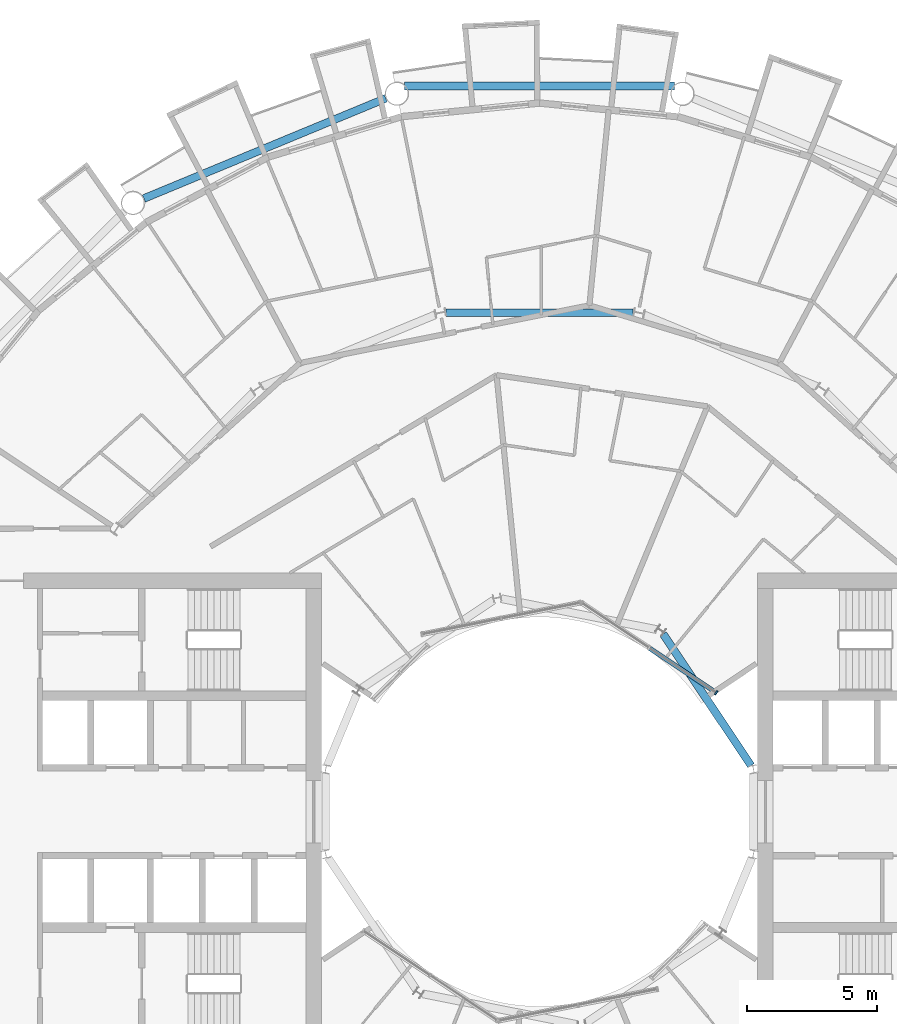
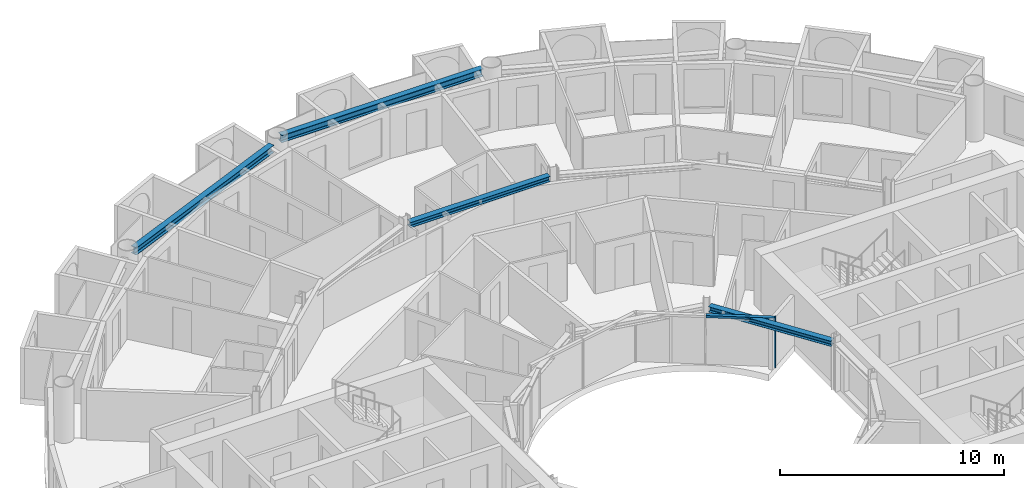
# One storey, part 9 of 28: 4 beams, 2 members, 1 element without a shape of its own.
"""IFC4 building model written with IfcOpenShell, lengths in metres."""

from ifc_helpers import new_model, si_unit, direction, frame, origin, origin_2d, place, context, subcontext, project, spatial, rectangle, i_section, extrude, material, layer, layer_set, material_profile, profile_set, type_object, element, aggregate, save


model = new_model("IFC4")

# Units and contexts
model_context = context("Model", 3, precision=1e-05, world=origin(), true_north=direction((0.0, 1.0)))
body_context = subcontext(model_context, "Body", "Model", "MODEL_VIEW")
ifc_project = project(units=[si_unit("LENGTHUNIT", "METRE"), si_unit("AREAUNIT", "SQUARE_METRE"), si_unit("VOLUMEUNIT", "CUBIC_METRE"), si_unit("PLANEANGLEUNIT", "RADIAN"), si_unit("MASSUNIT", "GRAM", prefix="KILO")], contexts=[model_context])

# Site, building, storey
site_placement = place(None, origin())
site = spatial("IfcSite", under=ifc_project, at=site_placement, CompositionType="ELEMENT")
building_placement = place(site_placement, origin())
building = spatial("IfcBuilding", under=site, at=building_placement, Name="Maasbend Ring Residences", CompositionType="ELEMENT")
storey_placement = place(building_placement, frame((0.0, 0.0, 129.949951171875)))
storey = spatial("IfcBuildingStorey", under=building, at=storey_placement, Name="L37", CompositionType="ELEMENT", Elevation=129.949951171875)

# Curtain wall, members
ifc_material_1 = material(Name="Aluminium and clear glass", Category="aluminium")
ifc_layer = layer(ifc_material_1, 0.179931640625)
ifc_layer_set = layer_set([ifc_layer], Name="CW-W")
curtain_wall_type = type_object("IfcCurtainWallType", Name="CW-W", PredefinedType="NOTDEFINED", material=ifc_layer_set)
curtain_wall_placement = place(storey_placement, origin())
curtain_wall = element("IfcCurtainWall", 1, at=curtain_wall_placement, inside=storey, type_object=curtain_wall_type, Name="Well curtain wall N1", PredefinedType="NOTDEFINED")
ifc_material_2 = material(Name="Aluminium 6063-T6", Category="aluminium")
ifc_material_profile_1 = material_profile(ifc_material_2, rectangle(XDim=0.179931640625, YDim=0.06005859375, at=origin_2d()), Name="AL 180x60")
ifc_profile_set_1 = profile_set([ifc_material_profile_1], Name="Aluminium 6063-T6")
member_type_1 = type_object("IfcMemberType", Name="CWM-W", PredefinedType="MULLION", material=ifc_profile_set_1)
member_1_placement = place(storey_placement, frame((6.805908203125, 4.580810546875, 0.0), z_axis=(0.0, 0.0, 1.0), x_axis=(-0.55557023302, -0.831469612303, 0.0)))
member_1 = element("IfcMember", 2, at=member_1_placement, type_object=member_type_1, Name="Mullion well face", PredefinedType="MULLION", context=body_context, shape_type="SweptSolid", body=[
    extrude(rectangle(XDim=0.179931640625, YDim=0.06005859375, at=origin_2d()), origin(), (0.0, 0.0, 1.0), 2.699951171875),
])
ifc_material_3 = material(Name="Aluminium 6063-T6", Category="aluminium")
ifc_material_profile_2 = material_profile(ifc_material_3, rectangle(XDim=0.179931640625, YDim=0.1201171875, at=origin_2d()), Name="AL 180x120")
ifc_profile_set_2 = profile_set([ifc_material_profile_2], Name="Aluminium 6063-T6")
member_type_2 = type_object("IfcMemberType", Name="CWT-W", PredefinedType="USERDEFINED", material=ifc_profile_set_2)
member_2_placement = place(storey_placement, frame((6.781005859375, 4.59765625, 2.64013671875), z_axis=(-0.831496422459, 0.555530106689, 0.0), x_axis=(-0.555530106689, -0.831496422459, 0.0)))
member_2 = element("IfcMember", 3, at=member_2_placement, type_object=member_type_2, Name="Transom well face", ObjectType="TRANSOM", PredefinedType="USERDEFINED", context=body_context, shape_type="SweptSolid", body=[
    extrude(rectangle(XDim=0.179931640625, YDim=0.1201171875, at=origin_2d()), origin(), (0.0, 0.0, 1.0), 3.053955078125),
])
aggregate(curtain_wall, [member_1, member_2])

# Beams
ifc_material_4 = material(Name="Steel S355J2", Category="steel")
ifc_material_profile_3 = material_profile(ifc_material_4, i_section(OverallWidth=0.300048828125, OverallDepth=0.2900390625, WebThickness=0.008544921875, FlangeThickness=0.013916015625, FilletRadius=0.027099609375, at=origin_2d()), Name="HEA 300")
ifc_profile_set_3 = profile_set([ifc_material_profile_3], Name="Steel S355J2")
beam_type_1 = type_object("IfcBeamType", Name="Corridor ring beam HEA 300", PredefinedType="BEAM", material=ifc_profile_set_3)
beam_1_placement = place(storey_placement, frame((3.603515625, 19.223388671875, 2.554931640625), z_axis=(-1.0, 0.0, 0.0), x_axis=(0.0, -1.0, 0.0)))
element("IfcBeam", 4, at=beam_1_placement, inside=storey, type_object=beam_type_1, Name="Corridor ring beam", PredefinedType="BEAM", context=body_context, shape_type="SweptSolid", body=[
    extrude(i_section(OverallWidth=0.300048828125, OverallDepth=0.2900390625, WebThickness=0.008544921875, FlangeThickness=0.013916015625, FilletRadius=0.027099609375, at=origin_2d()), origin(), (0.0, 0.0, 1.0), 7.20703125),
])
ifc_material_5 = material(Name="Steel S355J2", Category="steel")
ifc_material_profile_4 = material_profile(ifc_material_5, i_section(OverallWidth=0.300048828125, OverallDepth=0.39990234375, WebThickness=0.013427734375, FlangeThickness=0.02392578125, FilletRadius=0.027099609375, at=origin_2d()), Name="HEB 400")
ifc_profile_set_4 = profile_set([ifc_material_profile_4], Name="Steel S355J2")
beam_type_2 = type_object("IfcBeamType", Name="Spandrel ring beam HEB 400", PredefinedType="SPANDREL", material=ifc_profile_set_4)
beam_2_placement = place(storey_placement, frame((5.194580078125, 27.9580078125, 2.5), z_axis=(-1.0, 0.0, 0.0), x_axis=(0.0, -1.0, 0.0)))
element("IfcBeam", 5, at=beam_2_placement, inside=storey, type_object=beam_type_2, Name="Spandrel ring beam", PredefinedType="SPANDREL", context=body_context, shape_type="SweptSolid", body=[
    extrude(i_section(OverallWidth=0.300048828125, OverallDepth=0.39990234375, WebThickness=0.013427734375, FlangeThickness=0.02392578125, FilletRadius=0.027099609375, at=origin_2d()), origin(), (0.0, 0.0, 1.0), 10.38916015625),
])
beam_3_placement = place(storey_placement, frame((-5.923583984375, 27.483154296875, 2.5), z_axis=(-0.92388529709, -0.382669515144, 0.0), x_axis=(0.382669515144, -0.92388529709, 0.0)))
element("IfcBeam", 6, at=beam_3_placement, inside=storey, type_object=beam_type_2, Name="Spandrel ring beam", PredefinedType="SPANDREL", context=body_context, shape_type="SweptSolid", body=[
    extrude(i_section(OverallWidth=0.300048828125, OverallDepth=0.39990234375, WebThickness=0.013427734375, FlangeThickness=0.02392578125, FilletRadius=0.027099609375, at=origin_2d()), origin(), (0.0, 0.0, 1.0), 10.089111328125),
])
ifc_material_6 = material(Name="Steel S355J2", Category="steel")
ifc_material_profile_5 = material_profile(ifc_material_6, i_section(OverallWidth=0.300048828125, OverallDepth=0.2900390625, WebThickness=0.008544921875, FlangeThickness=0.013916015625, FilletRadius=0.027099609375, at=origin_2d()), Name="HEA 300")
ifc_profile_set_5 = profile_set([ifc_material_profile_5], Name="Steel S355J2")
beam_type_3 = type_object("IfcBeamType", Name="Well edge beam HEA 300", PredefinedType="BEAM", material=ifc_profile_set_5)
beam_4_placement = place(storey_placement, frame((8.1484375, 1.773681640625, 2.554931640625), z_axis=(-0.555558236289, 0.831477628137, 0.0), x_axis=(-0.831477628137, -0.555558236289, 0.0)))
element("IfcBeam", 7, at=beam_4_placement, inside=storey, type_object=beam_type_3, Name="Well edge beam", PredefinedType="BEAM", context=body_context, shape_type="SweptSolid", body=[
    extrude(i_section(OverallWidth=0.300048828125, OverallDepth=0.2900390625, WebThickness=0.008544921875, FlangeThickness=0.013916015625, FilletRadius=0.027099609375, at=origin_2d()), origin(), (0.0, 0.0, 1.0), 6.1044921875),
])

save(model, "model.ifc")
